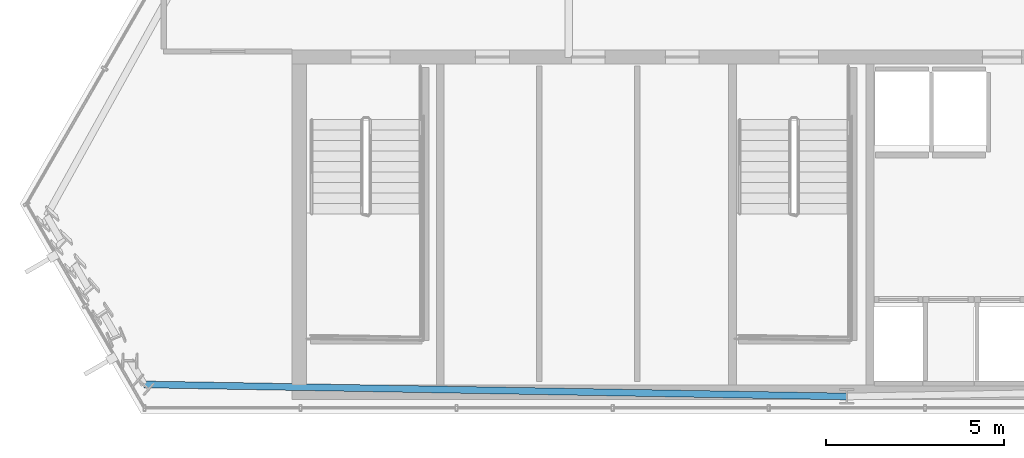
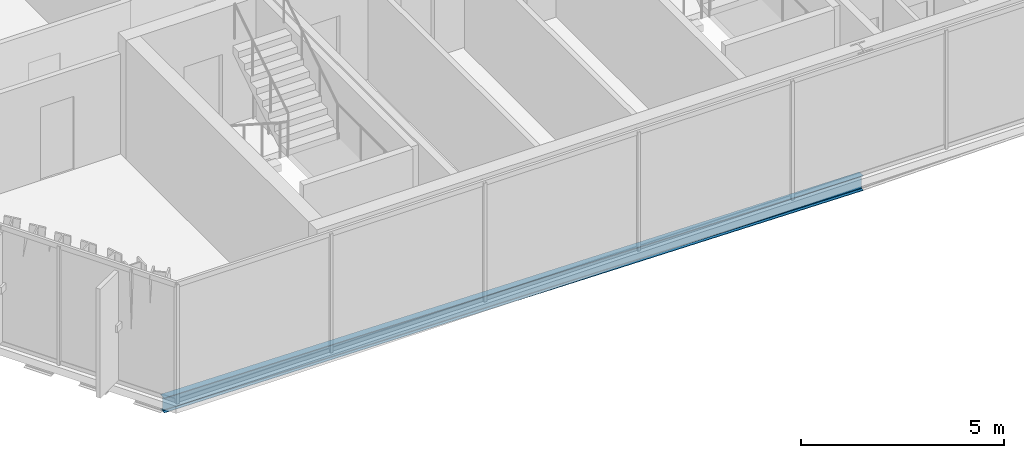
# One storey, part 3 of 29: 1 beam.
"""IFC4 building model written with IfcOpenShell, lengths in metres."""

from ifc_helpers import new_model, si_unit, direction, frame, origin, origin_2d, place, context, subcontext, project, spatial, i_section, extrude, material, material_profile, profile_set, type_object, element, save


model = new_model("IFC4")

# Units and contexts
model_context = context("Model", 3, precision=1e-05, world=origin(), true_north=direction((0.0, 1.0)))
body_context = subcontext(model_context, "Body", "Model", "MODEL_VIEW")
ifc_project = project(units=[si_unit("LENGTHUNIT", "METRE"), si_unit("AREAUNIT", "SQUARE_METRE"), si_unit("VOLUMEUNIT", "CUBIC_METRE"), si_unit("PLANEANGLEUNIT", "RADIAN"), si_unit("MASSUNIT", "GRAM", prefix="KILO")], contexts=[model_context])

# Site, building, storey
site_placement = place(None, origin())
site = spatial("IfcSite", under=ifc_project, at=site_placement, CompositionType="ELEMENT")
building_placement = place(site_placement, origin())
building = spatial("IfcBuilding", under=site, at=building_placement, Name="Ndaravel Arena Tower", CompositionType="ELEMENT")
storey_placement = place(building_placement, frame((0.0, 0.0, 248.39990234375)))
storey = spatial("IfcBuildingStorey", under=building, at=storey_placement, Name="L60", CompositionType="ELEMENT", Elevation=248.39990234375)

# Beam
ifc_material = material(Name="Steel S355", Category="steel")
ifc_material_profile = material_profile(ifc_material, i_section(OverallWidth=0.18994140625, OverallDepth=0.449951171875, WebThickness=0.009521484375, FlangeThickness=0.0146484375, FilletRadius=0.02099609375, at=origin_2d()), Name="IPE 450")
ifc_profile_set = profile_set([ifc_material_profile], Name="Steel S355")
beam_type = type_object("IfcBeamType", Name="BM-SPAN-IPE450", PredefinedType="SPANDREL", material=ifc_profile_set)
beam_placement = place(storey_placement, frame((22.2978515625, 5.817626953125, -0.44482421875), z_axis=(0.999853184589, -0.017135030412, 0.0), x_axis=(0.017135030412, 0.999853184589, 0.0)))
element("IfcBeam", 1, at=beam_placement, inside=storey, type_object=beam_type, Name="L60 Perimeter Spandrel Beam SP-27", PredefinedType="SPANDREL", context=body_context, shape_type="SweptSolid", body=[
    extrude(i_section(OverallWidth=0.18994140625, OverallDepth=0.449951171875, WebThickness=0.009521484375, FlangeThickness=0.0146484375, FilletRadius=0.02099609375, at=origin_2d()), origin(), (0.0, 0.0, 1.0), 19.705078125),
])

save(model, "model.ifc")
